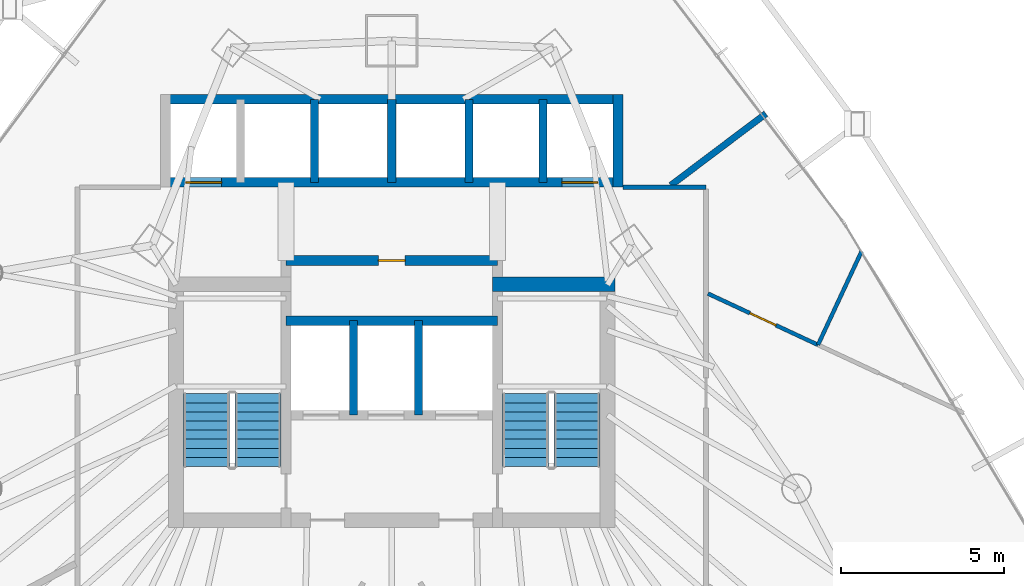
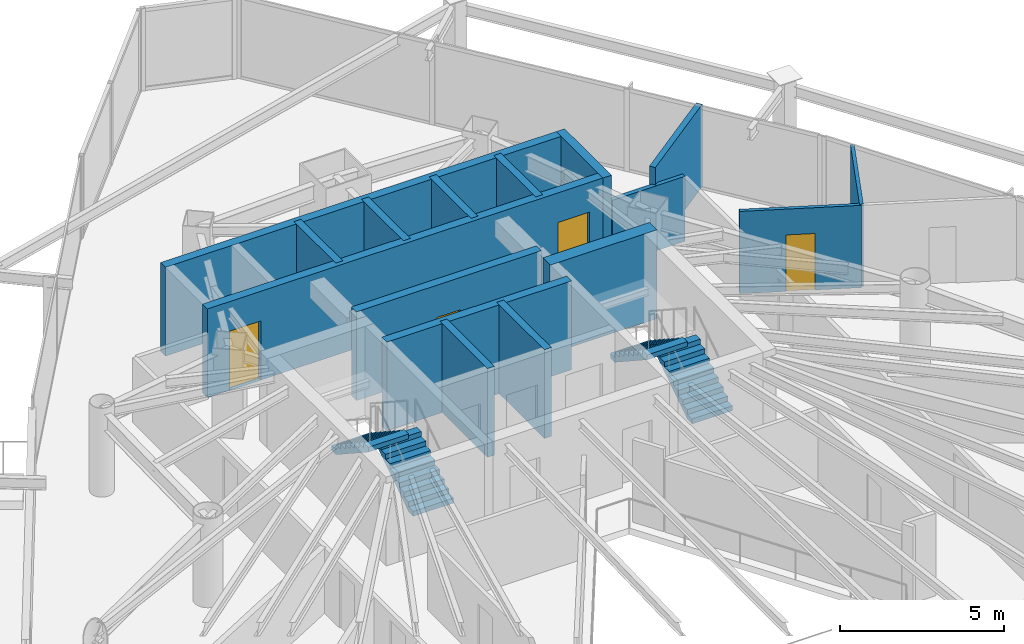
# One storey, part 34 of 38: 16 walls, 4 doors, 4 stair flights, 4 openings, 2 elements without a shape of their own.
"""IFC4 building model written with IfcOpenShell, lengths in metres."""

import ifcopenshell
import ifcopenshell.guid

model = None  # the IFC model being written
_history = None  # IfcOwnerHistory: only IFC2X3 demands one
_inside = {}  # id of a spatial element -> (the spatial element, [elements in it])
_under = {}  # id of a project, library or spatial element -> (it, [spatial elements below it])
_declared = {}  # id of a project -> (the project, [libraries it declares])
_typed = {}  # id of a type object -> (the type object, [elements of that type])
_made_of = {}  # id of a material, layer set ... -> (it, [elements and type objects made of it])


def new_model(schema):
    """Start an empty IFC model of exactly this schema.

    Asked for "IFC4X3", IfcOpenShell would pick the latest addendum, in which some entities
    have other attributes; the version numbers below select the first issue.
    IFC2X3 requires an IfcOwnerHistory on every rooted entity: one is made here for all.
    """
    global model, _history
    if schema == "IFC4X3":
        model = ifcopenshell.file(schema_version=(4, 3, 0, 0))
    else:
        model = ifcopenshell.file(schema=schema)
    _inside.clear()
    _under.clear()
    _declared.clear()
    _typed.clear()
    _made_of.clear()
    _history = None
    if model.schema == "IFC2X3":
        org = make("IfcOrganization", Name="unknown")
        user = make(
            "IfcPersonAndOrganization",
            ThePerson=make("IfcPerson", FamilyName="unknown"),
            TheOrganization=org,
        )
        app = make(
            "IfcApplication",
            ApplicationDeveloper=org,
            Version="unknown",
            ApplicationFullName="unknown",
            ApplicationIdentifier="unknown",
        )
        _history = make(
            "IfcOwnerHistory",
            OwningUser=user,
            OwningApplication=app,
            ChangeAction="ADDED",
            CreationDate=0,
        )
    return model


def make(cls, **values):
    """One entity of the class cls with the attributes given. An attribute that is None is left unset."""
    return model.create_entity(
        cls, **{name: value for name, value in values.items() if value is not None}
    )


def rooted(cls, **values):
    """An entity with a GlobalId (a new one), such as an element, a storey or a relation."""
    return make(cls, GlobalId=ifcopenshell.guid.new(), OwnerHistory=_history, **values)


def si_unit(unit_type, name, prefix=None):
    """IfcSIUnit, for example si_unit("LENGTHUNIT", "METRE", prefix="MILLI")."""
    return make("IfcSIUnit", UnitType=unit_type, Prefix=prefix, Name=name)


def assignment(units):
    """IfcUnitAssignment: the units of a project."""
    return None if units is None else make("IfcUnitAssignment", Units=units)


def point(xyz):
    """IfcCartesianPoint."""
    return None if xyz is None else make("IfcCartesianPoint", Coordinates=xyz)


def direction(xyz):
    """IfcDirection."""
    return None if xyz is None else make("IfcDirection", DirectionRatios=xyz)


def frame(location, z_axis=None, x_axis=None):
    """IfcAxis2Placement3D, a coordinate frame: its origin and axes. An axis left out is left unset."""
    return make(
        "IfcAxis2Placement3D",
        Location=point(location),
        Axis=direction(z_axis),
        RefDirection=direction(x_axis),
    )


def frame_2d(location, x_axis=None):
    """IfcAxis2Placement2D, a coordinate frame in the plane: its origin and x axis."""
    return make(
        "IfcAxis2Placement2D", Location=point(location), RefDirection=direction(x_axis)
    )


def origin():
    """The frame at (0, 0, 0) with its axes left unset."""
    return frame((0.0, 0.0, 0.0))


def place(relative_to, where):
    """IfcLocalPlacement: puts the frame where relative to a parent placement (None: the world)."""
    return make(
        "IfcLocalPlacement", PlacementRelTo=relative_to, RelativePlacement=where
    )


def context(
    kind, dimensions, precision=None, world=None, true_north=None, identifier=None
):
    """IfcGeometricRepresentationContext, for example the 3D "Model" context."""
    return make(
        "IfcGeometricRepresentationContext",
        ContextIdentifier=identifier,
        ContextType=kind,
        CoordinateSpaceDimension=dimensions,
        Precision=precision,
        WorldCoordinateSystem=world,
        TrueNorth=true_north,
    )


def subcontext(parent, identifier, kind, view, scale=None):
    """IfcGeometricRepresentationSubContext, for example "Body" below "Model"."""
    return make(
        "IfcGeometricRepresentationSubContext",
        ContextIdentifier=identifier,
        ContextType=kind,
        ParentContext=parent,
        TargetScale=scale,
        TargetView=view,
    )


def project(units=None, contexts=None):
    """IfcProject with its units and contexts."""
    return rooted(
        "IfcProject",
        Name="project",
        RepresentationContexts=contexts,
        UnitsInContext=assignment(units),
    )


def spatial(cls, under=None, at=None, **own):
    """A site, building, storey or space (cls), placed at a placement, below another one or the project."""
    s = rooted(cls, ObjectPlacement=at, **own)
    if under is not None:
        _under.setdefault(under.id(), (under, []))[1].append(s)
    return s


def polyline(points):
    """IfcPolyline through the points."""
    return make("IfcPolyline", Points=[point(p) for p in points])


def profile(cls, at=None, kind="AREA", **sizes):
    """A parametric profile (cls). Its sizes go by their IFC names, for example OverallWidth=200.0."""
    return make(cls, ProfileType=kind, Position=at, **sizes)


def rectangle(**sizes):
    """IfcRectangleProfileDef."""
    return profile("IfcRectangleProfileDef", **sizes)


def outline(outer, holes=None, kind="AREA"):
    """IfcArbitraryClosedProfileDef: a profile drawn as a closed curve; with holes, ...WithVoids."""
    if holes is None:
        return make("IfcArbitraryClosedProfileDef", ProfileType=kind, OuterCurve=outer)
    return make(
        "IfcArbitraryProfileDefWithVoids",
        ProfileType=kind,
        OuterCurve=outer,
        InnerCurves=holes,
    )


def extrude(swept, where, along, depth):
    """IfcExtrudedAreaSolid: the profile swept, set in the frame where, extruded along a direction by depth."""
    return make(
        "IfcExtrudedAreaSolid",
        SweptArea=swept,
        Position=where,
        ExtrudedDirection=direction(along),
        Depth=depth,
    )


def shape(context_of_items, identifier, shape_type, items):
    """IfcShapeRepresentation: the items that make up one representation, for example the "Body"."""
    return make(
        "IfcShapeRepresentation",
        ContextOfItems=context_of_items,
        RepresentationIdentifier=identifier,
        RepresentationType=shape_type,
        Items=items,
    )


def material(Name=None, Category=None):
    """IfcMaterial."""
    return make("IfcMaterial", Name=Name, Category=Category)


def layer(
    of_material, thickness, ventilated=None, Name=None, Category=None, Priority=None
):
    """IfcMaterialLayer: one layer of a wall or slab, of a material (None: an air gap)."""
    return make(
        "IfcMaterialLayer",
        Material=of_material,
        LayerThickness=thickness,
        IsVentilated=ventilated,
        Name=Name,
        Category=Category,
        Priority=Priority,
    )


def layer_set(layers, Name=None):
    """IfcMaterialLayerSet."""
    return make("IfcMaterialLayerSet", MaterialLayers=layers, LayerSetName=Name)


def made_of(thing, what):
    """Note that an element or type object is made of a material, layer set ...; save() writes the relation."""
    if what is not None:
        _made_of.setdefault(what.id(), (what, []))[1].append(thing)
    return thing


def type_object(cls, material=None, **own):
    """A type object (cls), such as IfcWallType, which elements share."""
    return made_of(rooted(cls, **own), material)


def element(
    cls,
    number,
    at=None,
    inside=None,
    cuts=None,
    type_object=None,
    material=None,
    context=None,
    identifier="Body",
    shape_type=None,
    held_by="IfcProductDefinitionShape",
    body=None,
    shapes=None,
    **own,
):
    """One element of the class cls, such as IfcWall. Its Tag is "e" and its number.

    at: its placement. inside: the storey or other place that contains it. cuts: it is an
    opening in that element (IfcRelVoidsElement). A single representation is given by context,
    identifier, shape_type and body (its items); several are given by shapes. held_by: the class
    of the entity that holds the representations. save() writes the other relations.
    """
    e = rooted(cls, Tag="e%d" % number, ObjectPlacement=at, **own)
    if body is not None:
        shapes = [shape(context, identifier, shape_type, body)]
    if shapes is not None:
        e.Representation = make(held_by, Representations=shapes)
    if inside is not None:
        _inside.setdefault(inside.id(), (inside, []))[1].append(e)
    if cuts is not None:
        rooted(
            "IfcRelVoidsElement", RelatingBuildingElement=cuts, RelatedOpeningElement=e
        )
    if type_object is not None:
        _typed.setdefault(type_object.id(), (type_object, []))[1].append(e)
    return made_of(e, material)


def fill(opening, filler):
    """IfcRelFillsElement: the door or window that sits in an opening."""
    return rooted(
        "IfcRelFillsElement",
        RelatingOpeningElement=opening,
        RelatedBuildingElement=filler,
    )


def aggregate(whole, parts):
    """IfcRelAggregates: a whole, such as a stair, and the parts it consists of."""
    return rooted("IfcRelAggregates", RelatingObject=whole, RelatedObjects=parts)


def save(model, path):
    """Write the relations noted so far, then the file.

    IfcRelAggregates (storeys below a building ...), IfcRelContainedInSpatialStructure (elements
    in a storey), IfcRelDefinesByType, IfcRelAssociatesMaterial and IfcRelDeclares: one each for
    every whole, place, type object, material and project.
    """
    for whole, parts in _under.values():
        aggregate(whole, parts)
    for where, things in _inside.values():
        rooted(
            "IfcRelContainedInSpatialStructure",
            RelatedElements=things,
            RelatingStructure=where,
        )
    for kind, things in _typed.values():
        rooted("IfcRelDefinesByType", RelatedObjects=things, RelatingType=kind)
    for what, things in _made_of.values():
        rooted("IfcRelAssociatesMaterial", RelatedObjects=things, RelatingMaterial=what)
    for by, libraries in _declared.values():
        rooted("IfcRelDeclares", RelatingContext=by, RelatedDefinitions=libraries)
    model.write(path)


model = new_model("IFC4")

# Units and contexts
model_context = context("Model", 3, precision=1e-05, world=origin(), true_north=direction((0.0, 1.0)))
body_context = subcontext(model_context, "Body", "Model", "MODEL_VIEW")
ifc_project = project(units=[si_unit("LENGTHUNIT", "METRE"), si_unit("AREAUNIT", "SQUARE_METRE"), si_unit("VOLUMEUNIT", "CUBIC_METRE"), si_unit("PLANEANGLEUNIT", "RADIAN"), si_unit("MASSUNIT", "GRAM", prefix="KILO")], contexts=[model_context])

# Site, building, storey
site_placement = place(None, origin())
site = spatial("IfcSite", under=ifc_project, at=site_placement, CompositionType="ELEMENT")
building_placement = place(site_placement, origin())
building = spatial("IfcBuilding", under=site, at=building_placement, Name="Orvanel Arch Residences", CompositionType="ELEMENT")
storey_placement = place(building_placement, frame((0.0, 0.0, 50.0)))
storey = spatial("IfcBuildingStorey", under=building, at=storey_placement, Name="L13", CompositionType="ELEMENT", Elevation=50.0)

# Walls
ifc_material_1 = material(Name="Concrete N50 (50 MPa)", Category="concrete")
ifc_layer_1 = layer(ifc_material_1, 0.25)
ifc_layer_set_1 = layer_set([ifc_layer_1], Name="Concrete N50 (50 MPa)")
wall_type_1 = type_object("IfcWallType", Name="SW-CORE-250", PredefinedType="SHEAR", material=ifc_layer_set_1)
for number, where, z_axis, x_axis, name in (
    (1, (31.824951171875, 29.89990234375, 0.0), (0.0, 0.0, 1.0), (0.0, 1.0, 0.0), "L13 Emergency Lift Inter-Shaft Wall F12"),
    (2, (33.824951171875, 29.89990234375, 0.0), (0.0, 0.0, 1.0), (0.0, 1.0, 0.0), "L13 Emergency Lift Inter-Shaft Wall F2G"),
):
    element("IfcWall", number, at=place(storey_placement, frame(where, z_axis=z_axis, x_axis=x_axis)), inside=storey, type_object=wall_type_1, Name=name, PredefinedType="SHEAR", context=body_context, shape_type="SweptSolid", body=[
        extrude(rectangle(XDim=2.900146484375, YDim=0.25, at=frame_2d((1.4501953125, 0.0))), origin(), (0.0, 0.0, 1.0), 3.300048828125),
    ])
for number, where, z_axis, x_axis, name in (
    (3, (30.625, 37.050048828125, 0.0), (0.0, 0.0, 1.0), (0.0, 1.0, 0.0), "L13 Passenger Lift Inter-Shaft Wall P35"),
    (4, (33.0, 37.050048828125, 0.0), (0.0, 0.0, 1.0), (0.0, 1.0, 0.0), "L13 Passenger Lift Inter-Shaft Wall P56"),
    (5, (35.375, 37.050048828125, 0.0), (0.0, 0.0, 1.0), (0.0, 1.0, 0.0), "L13 Passenger Lift Inter-Shaft Wall P64"),
    (6, (37.64990234375, 37.050048828125, 0.0), (0.0, 0.0, 1.0), (0.0, 1.0, 0.0), "L13 Passenger Lift Inter-Shaft Wall P42"),
):
    element("IfcWall", number, at=place(storey_placement, frame(where, z_axis=z_axis, x_axis=x_axis)), inside=storey, type_object=wall_type_1, Name=name, PredefinedType="SHEAR", context=body_context, shape_type="SweptSolid", body=[
        extrude(rectangle(XDim=2.550048828125, YDim=0.25, at=frame_2d((1.27490234375, 0.0))), origin(), (0.0, 0.0, 1.0), 3.300048828125),
    ])
ifc_material_2 = material(Name="Concrete S80 (80 MPa)", Category="concrete")
ifc_layer_2 = layer(ifc_material_2, 0.300048828125)
ifc_layer_set_2 = layer_set([ifc_layer_2], Name="Concrete S80 (80 MPa)")
wall_type_2 = type_object("IfcWallType", Name="SW-CORE-300", PredefinedType="SHEAR", material=ifc_layer_set_2)
wall_1_placement = place(storey_placement, frame((29.75, 32.800048828125, 0.0), z_axis=(0.0, 0.0, 1.0), x_axis=(1.0, 0.0, 0.0)))
element("IfcWall", 7, at=wall_1_placement, inside=storey, type_object=wall_type_2, Name="L13 Emergency Lift Back Core Shear Wall", PredefinedType="SHEAR", context=body_context, shape_type="SweptSolid", body=[
    extrude(rectangle(XDim=6.5, YDim=0.300048828125, at=frame_2d((3.25, 0.0))), origin(), (0.0, 0.0, 1.0), 3.300048828125),
])

# Wall, opening, door
wall_2_placement = place(storey_placement, frame((29.75, 34.64990234375, 0.0), z_axis=(0.0, 0.0, 1.0), x_axis=(1.0, 0.0, 0.0)))
wall_2 = element("IfcWall", 8, at=wall_2_placement, inside=storey, type_object=wall_type_2, Name="L13 Core Service Band North Shear Wall", PredefinedType="SHEAR", context=body_context, shape_type="SweptSolid", body=[
    extrude(rectangle(XDim=6.5, YDim=0.300048828125, at=frame_2d((3.25, 0.0))), origin(), (0.0, 0.0, 1.0), 3.300048828125),
])
opening_1_placement = place(wall_2_placement, frame((2.840087890625, 0.0, 0.0)))
opening_1 = element("IfcOpeningElement", 9, at=opening_1_placement, cuts=wall_2, Name="Opening DS-082", PredefinedType="OPENING", context=body_context, shape_type="SweptSolid", body=[
    extrude(rectangle(XDim=0.820068359375, YDim=2.10009765625, at=frame_2d((0.41015625, 1.050048828125))), frame((0.0, 0.159912109375, 0.0), z_axis=(0.0, -1.0, 0.0), x_axis=(1.0, 0.0, 0.0)), (0.0, 0.0, 1.0), 0.320068359375),
])
ifc_material_3 = material(Name="Galvanised steel fire-resisting door assembly", Category="steel")
door_type_1 = type_object("IfcDoorType", Name="DR-SVC-820", OperationType="NOTDEFINED", PredefinedType="DOOR", material=ifc_material_3)
door_1_placement = place(opening_1_placement, origin())
door_1 = element("IfcDoor", 10, at=door_1_placement, inside=storey, type_object=door_type_1, Name="DR-L13-CSVC-1 L13 Housekeeping Linen Store Door", OperationType="SINGLE_SWING_LEFT", OverallHeight=2.10009765625, OverallWidth=0.820068359375, PredefinedType="DOOR", context=body_context, shape_type="SweptSolid", body=[
    extrude(rectangle(XDim=0.820068359375, YDim=2.10009765625, at=frame_2d((0.41015625, 1.050048828125))), frame((0.0, 0.02490234375, 0.0), z_axis=(0.0, -1.0, 0.0), x_axis=(1.0, 0.0, 0.0)), (0.0, 0.0, 1.0), 0.050048828125),
])
fill(opening_1, door_1)

# Wall, openings, doors
wall_3_placement = place(storey_placement, frame((40.10009765625, 37.050048828125, 0.0), z_axis=(0.0, 0.0, 1.0), x_axis=(-1.0, 0.0, 0.0)))
wall_3 = element("IfcWall", 11, at=wall_3_placement, inside=storey, type_object=wall_type_2, Name="L13 Passenger Lift Bank Front Shear Wall", PredefinedType="SHEAR", context=body_context, shape_type="SweptSolid", body=[
    extrude(rectangle(XDim=14.2001953125, YDim=0.300048828125, at=frame_2d((7.10009765625, 0.0))), origin(), (0.0, 0.0, 1.0), 3.300048828125),
])
opening_2_placement = place(wall_3_placement, frame((12.324951171875, 0.0, 0.0)))
opening_2 = element("IfcOpeningElement", 12, at=opening_2_placement, cuts=wall_3, Name="Opening LD-110", PredefinedType="OPENING", context=body_context, shape_type="SweptSolid", body=[
    extrude(rectangle(XDim=1.10009765625, YDim=2.199951171875, at=frame_2d((0.550048828125, 1.10009765625))), frame((0.0, 0.159912109375, 0.0), z_axis=(0.0, -1.0, 0.0), x_axis=(1.0, 0.0, 0.0)), (0.0, 0.0, 1.0), 0.320068359375),
])
opening_3_placement = place(wall_3_placement, frame((0.77490234375, 0.0, 0.0)))
opening_3 = element("IfcOpeningElement", 13, at=opening_3_placement, cuts=wall_3, Name="Opening LD-110", PredefinedType="OPENING", context=body_context, shape_type="SweptSolid", body=[
    extrude(rectangle(XDim=1.10009765625, YDim=2.199951171875, at=frame_2d((0.550048828125, 1.10009765625))), frame((0.0, 0.159912109375, 0.0), z_axis=(0.0, -1.0, 0.0), x_axis=(1.0, 0.0, 0.0)), (0.0, 0.0, 1.0), 0.320068359375),
])
door_type_2 = type_object("IfcDoorType", Name="DR-LFT-1100", OperationType="NOTDEFINED", PredefinedType="DOOR", material=ifc_material_3)
door_2_placement = place(opening_2_placement, origin())
door_2 = element("IfcDoor", 14, at=door_2_placement, inside=storey, type_object=door_type_2, Name="LD-P1-L13 L13 Passenger Lift P1 Sliding Landing Door", OperationType="DOUBLE_DOOR_SLIDING", OverallHeight=2.199951171875, OverallWidth=1.10009765625, PredefinedType="DOOR", context=body_context, shape_type="SweptSolid", body=[
    extrude(rectangle(XDim=1.10009765625, YDim=2.199951171875, at=frame_2d((0.550048828125, 1.10009765625))), frame((0.0, 0.02490234375, 0.0), z_axis=(0.0, -1.0, 0.0), x_axis=(1.0, 0.0, 0.0)), (0.0, 0.0, 1.0), 0.050048828125),
])
fill(opening_2, door_2)
door_3_placement = place(opening_3_placement, origin())
door_3 = element("IfcDoor", 15, at=door_3_placement, inside=storey, type_object=door_type_2, Name="LD-P2-L13 L13 Passenger Lift P2 Sliding Landing Door", OperationType="DOUBLE_DOOR_SLIDING", OverallHeight=2.199951171875, OverallWidth=1.10009765625, PredefinedType="DOOR", context=body_context, shape_type="SweptSolid", body=[
    extrude(rectangle(XDim=1.10009765625, YDim=2.199951171875, at=frame_2d((0.550048828125, 1.10009765625))), frame((0.0, 0.02490234375, 0.0), z_axis=(0.0, -1.0, 0.0), x_axis=(1.0, 0.0, 0.0)), (0.0, 0.0, 1.0), 0.050048828125),
])
fill(opening_3, door_3)

# Walls
wall_4_placement = place(storey_placement, frame((25.89990234375, 39.60009765625, 0.0), z_axis=(0.0, 0.0, 1.0), x_axis=(1.0, 0.0, 0.0)))
element("IfcWall", 16, at=wall_4_placement, inside=storey, type_object=wall_type_2, Name="L13 Passenger Lift Bank North Shear Wall", PredefinedType="SHEAR", context=body_context, shape_type="SweptSolid", body=[
    extrude(rectangle(XDim=14.2001953125, YDim=0.300048828125, at=frame_2d((7.10009765625, 0.0))), origin(), (0.0, 0.0, 1.0), 3.300048828125),
])
wall_5_placement = place(storey_placement, frame((39.949951171875, 36.89990234375, 0.0), z_axis=(0.0, 0.0, 1.0), x_axis=(0.0, 1.0, 0.0)))
element("IfcWall", 17, at=wall_5_placement, inside=storey, type_object=wall_type_2, Name="L13 Passenger Lift Bank East Shear Wall", PredefinedType="SHEAR", context=body_context, shape_type="SweptSolid", body=[
    extrude(rectangle(XDim=2.85009765625, YDim=0.300048828125, at=frame_2d((1.425048828125, 0.0))), origin(), (0.0, 0.0, 1.0), 3.300048828125),
])
ifc_layer_3 = layer(ifc_material_2, 0.449951171875)
ifc_layer_set_3 = layer_set([ifc_layer_3], Name="Concrete S80 (80 MPa)")
wall_type_3 = type_object("IfcWallType", Name="SW-CORE-450", PredefinedType="SHEAR", material=ifc_layer_set_3)
wall_6_placement = place(storey_placement, frame((36.10009765625, 33.925048828125, 0.0), z_axis=(0.0, 0.0, 1.0), x_axis=(1.0, 0.0, 0.0)))
element("IfcWall", 18, at=wall_6_placement, inside=storey, type_object=wall_type_3, Name="L13 East Stair North Shear Wall", PredefinedType="SHEAR", context=body_context, shape_type="SweptSolid", body=[
    extrude(rectangle(XDim=3.75, YDim=0.449951171875, at=frame_2d((1.875, 0.0))), origin(), (0.0, 0.0, 1.0), 3.300048828125),
])
ifc_material_4 = material(Name="Fire-rated plasterboard lined steel stud partition", Category="steel")
ifc_layer_4 = layer(ifc_material_4, 0.14990234375)
ifc_layer_set_4 = layer_set([ifc_layer_4], Name="Fire-rated plasterboard lined steel stud partition")
wall_type_4 = type_object("IfcWallType", Name="W-COR-150", PredefinedType="PARTITIONING", material=ifc_layer_set_4)
wall_7_placement = place(storey_placement, frame((40.10009765625, 36.89990234375, 0.0), z_axis=(0.0, 0.0, 1.0), x_axis=(1.0, 0.0, 0.0)))
element("IfcWall", 19, at=wall_7_placement, inside=storey, type_object=wall_type_4, Name="L13 Corridor Fire-Rated Partition", PredefinedType="PARTITIONING", context=body_context, shape_type="SweptSolid", body=[
    extrude(rectangle(XDim=2.5498046875, YDim=0.14990234375, at=frame_2d((1.27490234375, 0.0))), origin(), (0.0, 0.0, 1.0), 2.4130859375),
])
ifc_layer_5 = layer(ifc_material_4, 0.199951171875)
ifc_layer_set_5 = layer_set([ifc_layer_5], Name="Fire-rated plasterboard lined steel stud partition")
wall_type_5 = type_object("IfcWallType", Name="W-DEM-200", PredefinedType="PARTITIONING", material=ifc_layer_set_5)
wall_8_placement = place(storey_placement, frame((44.489013671875, 39.156982421875, 0.0), z_axis=(0.0, 0.0, 1.0), x_axis=(-0.798682095895, -0.601753196665, 0.0)))
element("IfcWall", 20, at=wall_8_placement, inside=storey, type_object=wall_type_5, Name="L13 Inter-Tenancy Acoustic Demising Wall", PredefinedType="PARTITIONING", context=body_context, shape_type="SweptSolid", body=[
    extrude(rectangle(XDim=3.651123046875, YDim=0.199951171875, at=frame_2d((1.82568359375, 0.0))), origin(), (0.0, 0.0, 1.0), 3.06005859375),
])

# Wall, opening, door
ifc_material_5 = material(Name="Acoustic plasterboard lined twin-stud partition", Category="gypsum")
ifc_layer_6 = layer(ifc_material_5, 0.1201171875)
ifc_layer_set_6 = layer_set([ifc_layer_6], Name="Acoustic plasterboard lined twin-stud partition")
wall_type_6 = type_object("IfcWallType", Name="W-WET-120", PredefinedType="PARTITIONING", material=ifc_layer_set_6)
wall_9_placement = place(storey_placement, frame((42.7099609375, 33.634033203125, 0.0), z_axis=(0.0, 0.0, 1.0), x_axis=(0.906380338854, -0.422462638985, 0.0)))
wall_9 = element("IfcWall", 21, at=wall_9_placement, inside=storey, type_object=wall_type_6, Name="L13 Studio D Internal Partition", PredefinedType="PARTITIONING", context=body_context, shape_type="SweptSolid", body=[
    extrude(rectangle(XDim=3.730224609375, YDim=0.1201171875, at=frame_2d((1.865234375, 0.0))), origin(), (0.0, 0.0, 1.0), 3.06005859375),
])
opening_4_placement = place(wall_9_placement, frame((1.425048828125, 0.0, 0.0)))
opening_4 = element("IfcOpeningElement", 22, at=opening_4_placement, cuts=wall_9, Name="Opening DI-088", PredefinedType="OPENING", context=body_context, shape_type="SweptSolid", body=[
    extrude(rectangle(XDim=0.8798828125, YDim=2.10009765625, at=frame_2d((0.43994140625, 1.050048828125))), frame((0.0, 0.070068359375, 0.0), z_axis=(0.0, -1.0, 0.0), x_axis=(1.0, 0.0, 0.0)), (0.0, 0.0, 1.0), 0.14013671875),
])
ifc_material_6 = material(Name="Solid-core European oak veneer fire door leaf", Category="wood")
door_type_3 = type_object("IfcDoorType", Name="DR-INT-880", OperationType="NOTDEFINED", PredefinedType="DOOR", material=ifc_material_6)
door_4_placement = place(opening_4_placement, origin())
door_4 = element("IfcDoor", 23, at=door_4_placement, inside=storey, type_object=door_type_3, Name="DR-L13-D-KIT L13 Studio D Kitchenette Door", OperationType="SINGLE_SWING_LEFT", OverallHeight=2.10009765625, OverallWidth=0.8798828125, PredefinedType="DOOR", context=body_context, shape_type="SweptSolid", body=[
    extrude(rectangle(XDim=0.8798828125, YDim=2.10009765625, at=frame_2d((0.43994140625, 1.050048828125))), frame((0.0, 0.02490234375, 0.0), z_axis=(0.0, -1.0, 0.0), x_axis=(1.0, 0.0, 0.0)), (0.0, 0.0, 1.0), 0.050048828125),
])
fill(opening_4, door_4)

# Wall
wall_10_placement = place(storey_placement, frame((46.091064453125, 32.05810546875, 0.0), z_axis=(0.0, 0.0, 1.0), x_axis=(0.422430644664, 0.906395250677, 0.0)))
element("IfcWall", 24, at=wall_10_placement, inside=storey, type_object=wall_type_6, Name="L13 Studio D Bathroom Partition", PredefinedType="PARTITIONING", context=body_context, shape_type="SweptSolid", body=[
    extrude(rectangle(XDim=3.174072265625, YDim=0.1201171875, at=frame_2d((1.5869140625, 0.0))), origin(), (0.0, 0.0, 1.0), 3.06005859375),
])

# Stair, stair flights
ifc_material_7 = material(Name="Precast concrete N50 (50 MPa)", Category="concrete")
stair_type = type_object("IfcStairType", Name="STR-DOG-184", PredefinedType="USERDEFINED", material=ifc_material_7)
stair_1_placement = place(storey_placement, origin())
stair_1 = element("IfcStair", 25, at=stair_1_placement, inside=storey, type_object=stair_type, Name="L13 Fire-Isolated Core Exit Stair 1", ObjectType="TWO_RETURN_STAIR", PredefinedType="USERDEFINED")
stair_flight_type_1 = type_object("IfcStairFlightType", Name="SFL-C1-184", PredefinedType="STRAIGHT", material=ifc_material_7)
stair_flight_1_placement = place(storey_placement, frame((28.889892578125, 28.320068359375, 0.0), z_axis=(0.0, 0.0, 1.0), x_axis=(0.0, 1.0, 0.0)))
stair_flight_1 = element("IfcStairFlight", 26, at=stair_flight_1_placement, type_object=stair_flight_type_1, Name="ST-1 flight 1", NumberOfRisers=9, NumberOfTreads=8, PredefinedType="STRAIGHT", RiserHeight=0.183333333, TreadLength=0.28, context=body_context, shape_type="SweptSolid", body=[
    extrude(outline(polyline([(0.0, 0.0), (0.0, 0.183349609375), (0.280029296875, 0.183349609375), (0.280029296875, 0.36669921875), (0.56005859375, 0.36669921875), (0.56005859375, 0.550048828125), (0.840087890625, 0.550048828125), (0.840087890625, 0.7333984375), (1.1201171875, 0.7333984375), (1.1201171875, 0.916748046875), (1.39990234375, 0.916748046875), (1.39990234375, 1.10009765625), (1.679931640625, 1.10009765625), (1.679931640625, 1.283447265625), (1.9599609375, 1.283447265625), (1.9599609375, 1.466552734375), (2.239990234375, 1.466552734375), (2.239990234375, 1.64990234375), (2.239990234375, 1.28759765625), (0.273681640625, 0.0), (0.0, 0.0)])), frame((0.0, 0.7099609375, 0.0), z_axis=(0.0, -1.0, 0.0), x_axis=(1.0, 0.0, 0.0)), (0.0, 0.0, 1.0), 1.419921875),
])
stair_flight_2_placement = place(storey_placement, frame((27.31005859375, 30.56005859375, 1.64990234375), z_axis=(0.0, 0.0, 1.0), x_axis=(0.0, -1.0, 0.0)))
stair_flight_2 = element("IfcStairFlight", 27, at=stair_flight_2_placement, type_object=stair_flight_type_1, Name="ST-1 flight 2", NumberOfRisers=9, NumberOfTreads=8, PredefinedType="STRAIGHT", RiserHeight=0.183333333, TreadLength=0.28, context=body_context, shape_type="SweptSolid", body=[
    extrude(outline(polyline([(0.0, 0.0), (0.0, 0.183349609375), (0.280029296875, 0.183349609375), (0.280029296875, 0.36669921875), (0.56005859375, 0.36669921875), (0.56005859375, 0.550048828125), (0.840087890625, 0.550048828125), (0.840087890625, 0.7333984375), (1.1201171875, 0.7333984375), (1.1201171875, 0.916748046875), (1.39990234375, 0.916748046875), (1.39990234375, 1.10009765625), (1.679931640625, 1.10009765625), (1.679931640625, 1.283447265625), (1.9599609375, 1.283447265625), (1.9599609375, 1.466552734375), (2.239990234375, 1.466552734375), (2.239990234375, 1.64990234375), (2.239990234375, 1.28759765625), (0.273681640625, 0.0), (0.0, 0.0)])), frame((0.0, 0.7099609375, 0.0), z_axis=(0.0, -1.0, 0.0), x_axis=(1.0, 0.0, 0.0)), (0.0, 0.0, 1.0), 1.419921875),
])
aggregate(stair_1, [stair_flight_1, stair_flight_2])

stair_2_placement = place(storey_placement, origin())
stair_2 = element("IfcStair", 28, at=stair_2_placement, inside=storey, type_object=stair_type, Name="L13 Fire-Isolated Core Exit Stair 2", ObjectType="TWO_RETURN_STAIR", PredefinedType="USERDEFINED")
stair_flight_type_2 = type_object("IfcStairFlightType", Name="SFL-C2-184", PredefinedType="STRAIGHT", material=ifc_material_7)
stair_flight_3_placement = place(storey_placement, frame((38.68994140625, 28.320068359375, 0.0), z_axis=(0.0, 0.0, 1.0), x_axis=(0.0, 1.0, 0.0)))
stair_flight_3 = element("IfcStairFlight", 29, at=stair_flight_3_placement, type_object=stair_flight_type_2, Name="ST-2 flight 1", NumberOfRisers=9, NumberOfTreads=8, PredefinedType="STRAIGHT", RiserHeight=0.183333333, TreadLength=0.28, context=body_context, shape_type="SweptSolid", body=[
    extrude(outline(polyline([(0.0, 0.0), (0.0, 0.183349609375), (0.280029296875, 0.183349609375), (0.280029296875, 0.36669921875), (0.56005859375, 0.36669921875), (0.56005859375, 0.550048828125), (0.840087890625, 0.550048828125), (0.840087890625, 0.7333984375), (1.1201171875, 0.7333984375), (1.1201171875, 0.916748046875), (1.39990234375, 0.916748046875), (1.39990234375, 1.10009765625), (1.679931640625, 1.10009765625), (1.679931640625, 1.283447265625), (1.9599609375, 1.283447265625), (1.9599609375, 1.466552734375), (2.239990234375, 1.466552734375), (2.239990234375, 1.64990234375), (2.239990234375, 1.28759765625), (0.273681640625, 0.0), (0.0, 0.0)])), frame((0.0, 0.7099609375, 0.0), z_axis=(0.0, -1.0, 0.0), x_axis=(1.0, 0.0, 0.0)), (0.0, 0.0, 1.0), 1.419921875),
])
stair_flight_4_placement = place(storey_placement, frame((37.110107421875, 30.56005859375, 1.64990234375), z_axis=(0.0, 0.0, 1.0), x_axis=(0.0, -1.0, 0.0)))
stair_flight_4 = element("IfcStairFlight", 30, at=stair_flight_4_placement, type_object=stair_flight_type_2, Name="ST-2 flight 2", NumberOfRisers=9, NumberOfTreads=8, PredefinedType="STRAIGHT", RiserHeight=0.183333333, TreadLength=0.28, context=body_context, shape_type="SweptSolid", body=[
    extrude(outline(polyline([(0.0, 0.0), (0.0, 0.183349609375), (0.280029296875, 0.183349609375), (0.280029296875, 0.36669921875), (0.56005859375, 0.36669921875), (0.56005859375, 0.550048828125), (0.840087890625, 0.550048828125), (0.840087890625, 0.7333984375), (1.1201171875, 0.7333984375), (1.1201171875, 0.916748046875), (1.39990234375, 0.916748046875), (1.39990234375, 1.10009765625), (1.679931640625, 1.10009765625), (1.679931640625, 1.283447265625), (1.9599609375, 1.283447265625), (1.9599609375, 1.466552734375), (2.239990234375, 1.466552734375), (2.239990234375, 1.64990234375), (2.239990234375, 1.28759765625), (0.273681640625, 0.0), (0.0, 0.0)])), frame((0.0, 0.7099609375, 0.0), z_axis=(0.0, -1.0, 0.0), x_axis=(1.0, 0.0, 0.0)), (0.0, 0.0, 1.0), 1.419921875),
])
aggregate(stair_2, [stair_flight_3, stair_flight_4])

save(model, "model.ifc")
